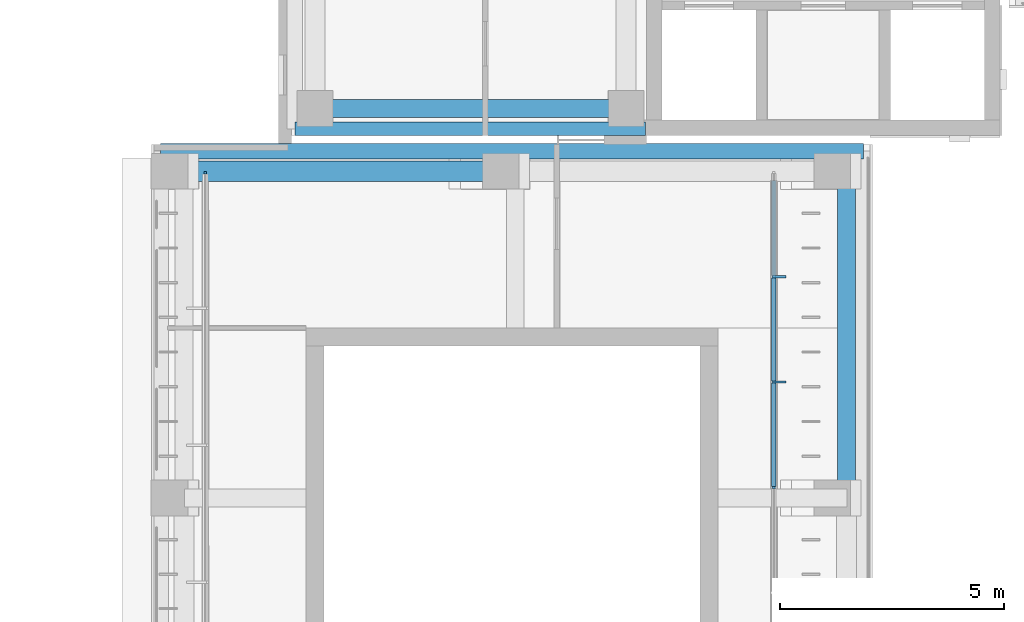
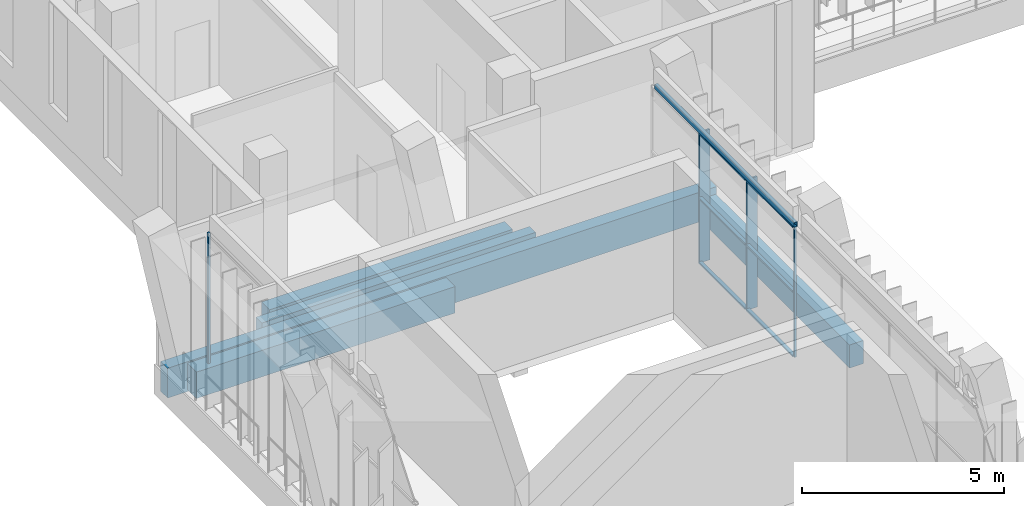
# One storey, part 28 of 89: 10 members, 6 beams, 2 elements without a shape of their own.
"""IFC4 building model written with IfcOpenShell, lengths in metres."""

from ifc_helpers import new_model, si_unit, direction, frame, origin, origin_2d, place, context, subcontext, project, spatial, rectangle, hollow_rectangle, extrude, material, material_profile, profile_set, type_object, element, aggregate, save


model = new_model("IFC4")

# Units and contexts
model_context = context("Model", 3, precision=1e-05, world=origin(), true_north=direction((0.0, 1.0)))
body_context = subcontext(model_context, "Body", "Model", "MODEL_VIEW")
ifc_project = project(units=[si_unit("LENGTHUNIT", "METRE"), si_unit("AREAUNIT", "SQUARE_METRE"), si_unit("VOLUMEUNIT", "CUBIC_METRE"), si_unit("PLANEANGLEUNIT", "RADIAN"), si_unit("MASSUNIT", "GRAM", prefix="KILO")], contexts=[model_context])

# Site, building, storey
site_placement = place(None, origin())
site = spatial("IfcSite", under=ifc_project, at=site_placement, CompositionType="ELEMENT")
building_placement = place(site_placement, origin())
building = spatial("IfcBuilding", under=site, at=building_placement, Name="Lantern Court Media Centre", CompositionType="ELEMENT")
storey_placement = place(building_placement, frame((0.0, 0.0, 14.39990234375)))
storey = spatial("IfcBuildingStorey", under=building, at=storey_placement, Name="L03", CompositionType="ELEMENT", Elevation=14.39990234375)

# Curtain wall, members
ifc_material_1 = material(Name="Curtain wall bay 2400")
curtain_wall_type_1 = type_object("IfcCurtainWallType", Name="Curtain wall bay 2400", PredefinedType="NOTDEFINED", material=ifc_material_1)
curtain_wall_1_placement = place(storey_placement, origin())
curtain_wall_1 = element("IfcCurtainWall", 1, at=curtain_wall_1_placement, inside=storey, type_object=curtain_wall_type_1, Name="Curtain wall W inner L03", PredefinedType="NOTDEFINED")
ifc_material_2 = material(Name="Anodised aluminium", Category="aluminium")
ifc_material_profile_1 = material_profile(ifc_material_2, rectangle(XDim=0.300048828125, YDim=0.050048828125, at=origin_2d()), Name="AL 50x300")
ifc_profile_set_1 = profile_set([ifc_material_profile_1], Name="Anodised aluminium")
member_type_1 = type_object("IfcMemberType", Name="Curtain wall mullion 50x300", PredefinedType="MULLION", material=ifc_profile_set_1)
member_1_placement = place(storey_placement, frame((18.969970703125, 90.59228515625, 0.0), z_axis=(0.0, 0.0, 1.0), x_axis=(-1.0, 0.0, 0.0)))
member_1 = element("IfcMember", 2, at=member_1_placement, type_object=member_type_1, Name="CW2 mullion 12", PredefinedType="MULLION", context=body_context, shape_type="SweptSolid", body=[
    extrude(rectangle(XDim=0.300048828125, YDim=0.050048828125, at=origin_2d()), origin(), (0.0, 0.0, 1.0), 3.9501953125),
])
member_2_placement = place(storey_placement, frame((18.969970703125, 92.946044921875, 0.0), z_axis=(0.0, 0.0, 1.0), x_axis=(-1.0, 0.0, 0.0)))
member_2 = element("IfcMember", 3, at=member_2_placement, type_object=member_type_1, Name="CW2 mullion 13", PredefinedType="MULLION", context=body_context, shape_type="SweptSolid", body=[
    extrude(rectangle(XDim=0.300048828125, YDim=0.050048828125, at=origin_2d()), origin(), (0.0, 0.0, 1.0), 3.9501953125),
])
ifc_material_profile_2 = material_profile(ifc_material_2, rectangle(XDim=0.06005859375, YDim=0.050048828125, at=origin_2d()), Name="AL 50x60")
ifc_profile_set_2 = profile_set([ifc_material_profile_2], Name="Anodised aluminium")
member_type_2 = type_object("IfcMemberType", Name="Curtain wall mullion 50x60", PredefinedType="MULLION", material=ifc_profile_set_2)
member_3_placement = place(storey_placement, frame((18.85009765625, 88.238525390625, 0.0), z_axis=(0.0, 0.0, 1.0), x_axis=(-1.0, 0.0, 0.0)))
member_3 = element("IfcMember", 4, at=member_3_placement, type_object=member_type_2, Name="CW2 mullion 11", PredefinedType="MULLION", context=body_context, shape_type="SweptSolid", body=[
    extrude(rectangle(XDim=0.06005859375, YDim=0.050048828125, at=origin_2d()), origin(), (0.0, 0.0, 1.0), 3.9501953125),
])

# Curtain wall, member
ifc_material_3 = material(Name="Curtain wall bay 3000")
curtain_wall_type_2 = type_object("IfcCurtainWallType", Name="Curtain wall bay 3000", PredefinedType="NOTDEFINED", material=ifc_material_3)
curtain_wall_2_placement = place(storey_placement, origin())
curtain_wall_2 = element("IfcCurtainWall", 5, at=curtain_wall_2_placement, inside=storey, type_object=curtain_wall_type_2, Name="Curtain wall W outer L03", PredefinedType="NOTDEFINED")
ifc_material_profile_3 = material_profile(ifc_material_2, rectangle(XDim=0.06005859375, YDim=0.06005859375, at=origin_2d()), Name="AL 60x60")
ifc_profile_set_3 = profile_set([ifc_material_profile_3], Name="Anodised aluminium")
member_type_3 = type_object("IfcMemberType", Name="Curtain wall mullion 60x60", PredefinedType="MULLION", material=ifc_profile_set_3)
member_4_placement = place(storey_placement, frame((6.14990234375, 95.27001953125, 0.0), z_axis=(0.0, 0.0, 1.0), x_axis=(-1.0, 0.0, 0.0)))
member_4 = element("IfcMember", 6, at=member_4_placement, type_object=member_type_3, Name="CW1 mullion 11", PredefinedType="MULLION", context=body_context, shape_type="SweptSolid", body=[
    extrude(rectangle(XDim=0.06005859375, YDim=0.06005859375, at=origin_2d()), origin(), (0.0, 0.0, 1.0), 3.9501953125),
])
aggregate(curtain_wall_2, [member_4])

# Member
ifc_material_profile_4 = material_profile(ifc_material_2, rectangle(XDim=0.10009765625, YDim=0.050048828125, at=origin_2d()), Name="AL 50x100")
ifc_profile_set_4 = profile_set([ifc_material_profile_4], Name="Anodised aluminium")
member_type_4 = type_object("IfcMemberType", Name="Curtain wall transom 100x50", PredefinedType="USERDEFINED", material=ifc_profile_set_4)
member_5_placement = place(storey_placement, frame((18.85009765625, 88.263427734375, 0.025146484375), z_axis=(0.0, 1.0, 0.0), x_axis=(-1.0, 0.0, 0.0)))
member_5 = element("IfcMember", 7, at=member_5_placement, type_object=member_type_4, Name="CW2 transom 11.1", ObjectType="TRANSOM", PredefinedType="USERDEFINED", context=body_context, shape_type="SweptSolid", body=[
    extrude(rectangle(XDim=0.10009765625, YDim=0.050048828125, at=origin_2d()), origin(), (0.0, 0.0, 1.0), 2.303955078125),
])

member_6_placement = place(storey_placement, frame((18.85009765625, 88.263427734375, 1.97509765625), z_axis=(0.0, 1.0, 0.0), x_axis=(-1.0, 0.0, 0.0)))
member_6 = element("IfcMember", 8, at=member_6_placement, type_object=member_type_4, Name="CW2 transom 11.2", ObjectType="TRANSOM", PredefinedType="USERDEFINED", context=body_context, shape_type="SweptSolid", body=[
    extrude(rectangle(XDim=0.10009765625, YDim=0.050048828125, at=origin_2d()), origin(), (0.0, 0.0, 1.0), 2.303955078125),
])

member_7_placement = place(storey_placement, frame((18.85009765625, 88.263427734375, 3.925048828125), z_axis=(0.0, 1.0, 0.0), x_axis=(-1.0, 0.0, 0.0)))
member_7 = element("IfcMember", 9, at=member_7_placement, type_object=member_type_4, Name="CW2 transom 11.3", ObjectType="TRANSOM", PredefinedType="USERDEFINED", context=body_context, shape_type="SweptSolid", body=[
    extrude(rectangle(XDim=0.10009765625, YDim=0.050048828125, at=origin_2d()), origin(), (0.0, 0.0, 1.0), 2.303955078125),
])

member_8_placement = place(storey_placement, frame((18.85009765625, 90.6171875, 0.025146484375), z_axis=(0.0, 1.0, 0.0), x_axis=(-1.0, 0.0, 0.0)))
member_8 = element("IfcMember", 10, at=member_8_placement, type_object=member_type_4, Name="CW2 transom 12.1", ObjectType="TRANSOM", PredefinedType="USERDEFINED", context=body_context, shape_type="SweptSolid", body=[
    extrude(rectangle(XDim=0.10009765625, YDim=0.050048828125, at=origin_2d()), origin(), (0.0, 0.0, 1.0), 2.303955078125),
])

member_9_placement = place(storey_placement, frame((18.85009765625, 90.6171875, 1.97509765625), z_axis=(0.0, 1.0, 0.0), x_axis=(-1.0, 0.0, 0.0)))
member_9 = element("IfcMember", 11, at=member_9_placement, type_object=member_type_4, Name="CW2 transom 12.2", ObjectType="TRANSOM", PredefinedType="USERDEFINED", context=body_context, shape_type="SweptSolid", body=[
    extrude(rectangle(XDim=0.10009765625, YDim=0.050048828125, at=origin_2d()), origin(), (0.0, 0.0, 1.0), 2.303955078125),
])

member_10_placement = place(storey_placement, frame((18.85009765625, 90.6171875, 3.925048828125), z_axis=(0.0, 1.0, 0.0), x_axis=(-1.0, 0.0, 0.0)))
member_10 = element("IfcMember", 12, at=member_10_placement, type_object=member_type_4, Name="CW2 transom 12.3", ObjectType="TRANSOM", PredefinedType="USERDEFINED", context=body_context, shape_type="SweptSolid", body=[
    extrude(rectangle(XDim=0.10009765625, YDim=0.050048828125, at=origin_2d()), origin(), (0.0, 0.0, 1.0), 2.303955078125),
])

aggregate(curtain_wall_1, [member_3, member_1, member_2, member_5, member_6, member_7, member_8, member_9, member_10])

# Beams
ifc_material_4 = material(Name="Steel S355J2 (EN 10025-2)", Category="steel")
ifc_material_profile_5 = material_profile(ifc_material_4, hollow_rectangle(XDim=0.10009765625, YDim=0.14990234375, WallThickness=0.00634765625, InnerFilletRadius=0.00634765625, OuterFilletRadius=0.009521484375, at=origin_2d()), Name="Facade head lintel RHS 150x100x6.3")
ifc_profile_set_5 = profile_set([ifc_material_profile_5], Name="Steel S355J2 (EN 10025-2)")
beam_type_1 = type_object("IfcBeamType", Name="Facade head lintel RHS 150x100x6.3", PredefinedType="BEAM", material=ifc_profile_set_5)
beam_1_placement = place(storey_placement, frame((18.85009765625, 88.199951171875, 4.025146484375), z_axis=(0.0, 1.0, 0.0), x_axis=(-1.0, 0.0, 0.0)))
element("IfcBeam", 13, at=beam_1_placement, inside=storey, type_object=beam_type_1, Name="Facade head lintel W L03", PredefinedType="BEAM", context=body_context, shape_type="SweptSolid", body=[
    extrude(hollow_rectangle(XDim=0.10009765625, YDim=0.14990234375, WallThickness=0.00634765625, InnerFilletRadius=0.00634765625, OuterFilletRadius=0.009521484375, at=origin_2d()), origin(), (0.0, 0.0, 1.0), 6.900146484375),
])
ifc_material_5 = material(Name="Concrete C35", Category="concrete")
ifc_material_profile_6 = material_profile(ifc_material_5, rectangle(XDim=0.300048828125, YDim=0.89990234375, at=origin_2d()), Name="RC 300x900")
ifc_profile_set_6 = profile_set([ifc_material_profile_6], Name="Concrete C35")
beam_type_2 = type_object("IfcBeamType", Name="RC BEAM 300x900", PredefinedType="BEAM", material=ifc_profile_set_6)
beam_2_placement = place(storey_placement, frame((8.14990234375, 96.25, -0.449951171875), z_axis=(1.0, 0.0, 0.0), x_axis=(0.0, 1.0, 0.0)))
element("IfcBeam", 14, at=beam_2_placement, inside=storey, type_object=beam_type_2, Name="EB-NW-L03-S", PredefinedType="BEAM", context=body_context, shape_type="SweptSolid", body=[
    extrude(rectangle(XDim=0.300048828125, YDim=0.89990234375, at=origin_2d()), origin(), (0.0, 0.0, 1.0), 7.830078125),
])
ifc_material_profile_7 = material_profile(ifc_material_5, rectangle(XDim=0.35009765625, YDim=0.89990234375, at=origin_2d()), Name="RC 350x900")
ifc_profile_set_7 = profile_set([ifc_material_profile_7], Name="Concrete C35")
beam_type_3 = type_object("IfcBeamType", Name="RC BEAM 350x900", PredefinedType="BEAM", material=ifc_profile_set_7)
beam_3_placement = place(storey_placement, frame((5.14990234375, 95.75, -0.449951171875), z_axis=(1.0, 0.0, 0.0), x_axis=(0.0, 1.0, 0.0)))
element("IfcBeam", 15, at=beam_3_placement, inside=storey, type_object=beam_type_3, Name="EB-W-L03-D", PredefinedType="BEAM", context=body_context, shape_type="SweptSolid", body=[
    extrude(rectangle(XDim=0.35009765625, YDim=0.89990234375, at=origin_2d()), origin(), (0.0, 0.0, 1.0), 15.7001953125),
])
ifc_material_profile_8 = material_profile(ifc_material_5, rectangle(XDim=0.39990234375, YDim=0.699951171875, at=origin_2d()), Name="RC 400x700")
ifc_profile_set_8 = profile_set([ifc_material_profile_8], Name="Concrete C35")
beam_type_4 = type_object("IfcBeamType", Name="RC BEAM 400x700", PredefinedType="BEAM", material=ifc_profile_set_8)
beam_4_placement = place(storey_placement, frame((20.472900390625, 88.0, -0.349853515625), z_axis=(0.0, 1.0, 0.0), x_axis=(-1.0, 0.0, 0.0)))
element("IfcBeam", 16, at=beam_4_placement, inside=storey, type_object=beam_type_4, Name="LB-W-L03-2-3", PredefinedType="BEAM", context=body_context, shape_type="SweptSolid", body=[
    extrude(rectangle(XDim=0.39990234375, YDim=0.699951171875, at=origin_2d()), origin(), (0.0, 0.0, 1.0), 7.300048828125),
])
ifc_material_profile_9 = material_profile(ifc_material_5, rectangle(XDim=0.39990234375, YDim=0.800048828125, at=origin_2d()), Name="RC 400x800")
ifc_profile_set_9 = profile_set([ifc_material_profile_9], Name="Concrete C35")
beam_type_5 = type_object("IfcBeamType", Name="RC BEAM 400x800", PredefinedType="BEAM", material=ifc_profile_set_9)
beam_5_placement = place(storey_placement, frame((8.60009765625, 96.699951171875, -0.39990234375), z_axis=(1.0, 0.0, 0.0), x_axis=(0.0, 1.0, 0.0)))
element("IfcBeam", 17, at=beam_5_placement, inside=storey, type_object=beam_type_5, Name="BB-NW-L03-Y0-96", PredefinedType="BEAM", context=body_context, shape_type="SweptSolid", body=[
    extrude(rectangle(XDim=0.39990234375, YDim=0.800048828125, at=origin_2d()), origin(), (0.0, 0.0, 1.0), 6.949951171875),
])
ifc_material_profile_10 = material_profile(ifc_material_5, rectangle(XDim=0.449951171875, YDim=0.800048828125, at=origin_2d()), Name="RC 450x800")
ifc_profile_set_10 = profile_set([ifc_material_profile_10], Name="Concrete C35")
beam_type_6 = type_object("IfcBeamType", Name="RC BEAM 450x800", PredefinedType="BEAM", material=ifc_profile_set_10)
beam_6_placement = place(storey_placement, frame((5.683349609375, 95.300048828125, -0.39990234375), z_axis=(1.0, 0.0, 0.0), x_axis=(0.0, 1.0, 0.0)))
element("IfcBeam", 18, at=beam_6_placement, inside=storey, type_object=beam_type_6, Name="TB-W-L03-4-1", PredefinedType="BEAM", context=body_context, shape_type="SweptSolid", body=[
    extrude(rectangle(XDim=0.449951171875, YDim=0.800048828125, at=origin_2d()), origin(), (0.0, 0.0, 1.0), 7.39990234375),
])

save(model, "model.ifc")
